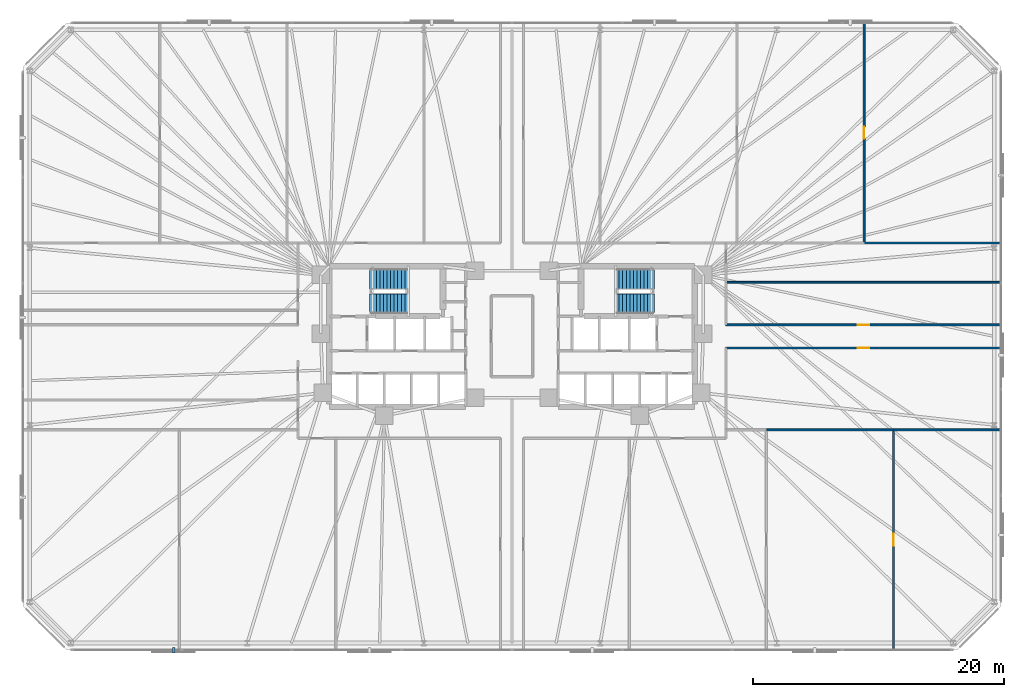
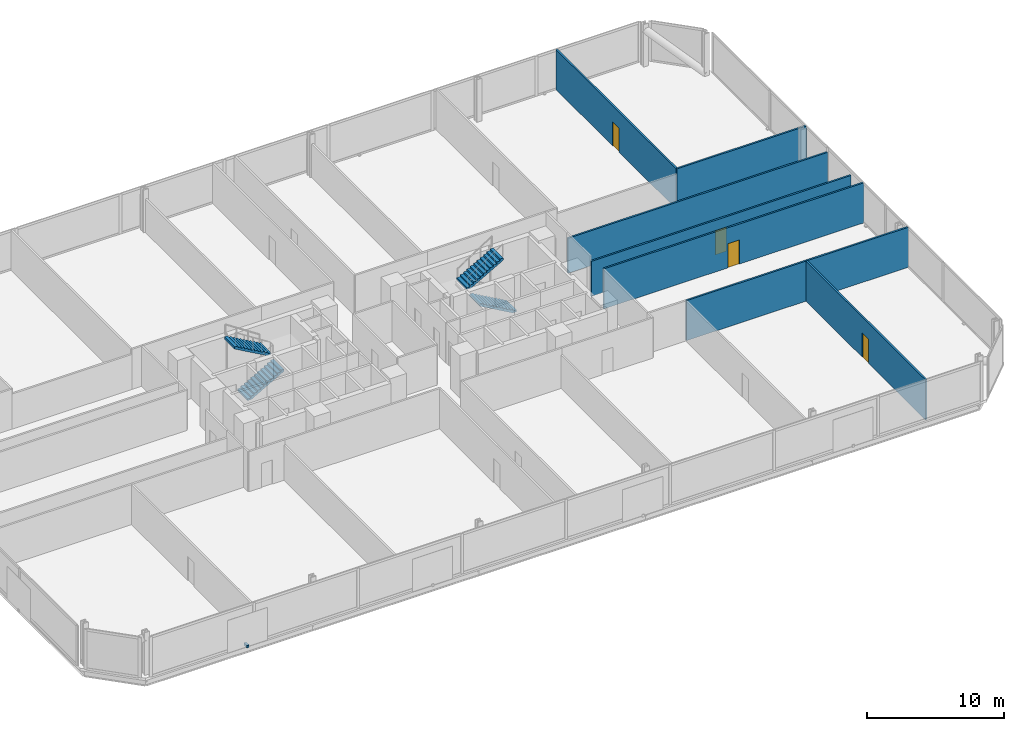
# One storey, part 15 of 17: 8 walls, 4 doors, 4 stair flights, 1 discrete accessory, 4 openings, 2 elements without a shape of their own.
"""IFC4 building model written with IfcOpenShell, lengths in metres."""

from ifc_helpers import new_model, si_unit, direction, frame, frame_2d, origin, origin_2d, place, context, subcontext, project, spatial, polyline, rectangle, outline, extrude, material, layer, layer_set, type_object, element, fill, aggregate, save


model = new_model("IFC4")

# Units and contexts
model_context = context("Model", 3, precision=1e-05, world=origin(), true_north=direction((0.0, 1.0)))
body_context = subcontext(model_context, "Body", "Model", "MODEL_VIEW")
ifc_project = project(units=[si_unit("LENGTHUNIT", "METRE"), si_unit("AREAUNIT", "SQUARE_METRE"), si_unit("VOLUMEUNIT", "CUBIC_METRE"), si_unit("PLANEANGLEUNIT", "RADIAN"), si_unit("MASSUNIT", "GRAM", prefix="KILO")], contexts=[model_context])

# Site, building, storey
site_placement = place(None, origin())
site = spatial("IfcSite", under=ifc_project, at=site_placement, CompositionType="ELEMENT")
building_placement = place(site_placement, origin())
building = spatial("IfcBuilding", under=site, at=building_placement, Name="Menara Jurai Vektor", CompositionType="ELEMENT")
storey_placement = place(building_placement, frame((0.0, 0.0, 52.199951171875)))
storey = spatial("IfcBuildingStorey", under=building, at=storey_placement, Name="L12", CompositionType="ELEMENT", Elevation=52.199951171875)

# Wall, opening, door
ifc_material_1 = material(Name="Gypsum Fireboard Partition", Category="gypsum")
ifc_layer_1 = layer(ifc_material_1, 0.14990234375)
ifc_layer_set_1 = layer_set([ifc_layer_1], Name="Gypsum Fireboard Partition")
wall_type_1 = type_object("IfcWallType", Name="INT-WALL-CORR-150", PredefinedType="PARTITIONING", material=ifc_layer_set_1)
wall_1_placement = place(storey_placement, frame((17.05908203125, -0.919921875, 0.0), z_axis=(0.0, 0.0, 1.0), x_axis=(1.0, 0.0, 0.0)))
wall_1 = element("IfcWall", 1, at=wall_1_placement, inside=storey, type_object=wall_type_1, Name="Interior Wall IW-150 L12", PredefinedType="PARTITIONING", context=body_context, shape_type="SweptSolid", body=[
    extrude(rectangle(XDim=21.94091796875, YDim=0.14990234375, at=frame_2d((10.970458984375, 0.0))), origin(), (0.0, 0.0, 1.0), 3.574951171875),
])
opening_1_placement = place(wall_1_placement, frame((10.49560546875, 0.0, 0.0)))
opening_1 = element("IfcOpeningElement", 2, at=opening_1_placement, cuts=wall_1, Name="Opening D12-19", PredefinedType="OPENING", context=body_context, shape_type="SweptSolid", body=[
    extrude(rectangle(XDim=0.949951171875, YDim=2.14990234375, at=frame_2d((0.47509765625, 1.074951171875))), frame((0.0, 0.0849609375, 0.0), z_axis=(0.0, -1.0, 0.0), x_axis=(1.0, 0.0, 0.0)), (0.0, 0.0, 1.0), 0.169921875),
])
ifc_material_2 = material(Name="Solid Core Timber Fire Door", Category="wood")
door_type = type_object("IfcDoorType", Name="DR-ENTRY-950", OperationType="NOTDEFINED", PredefinedType="DOOR", material=ifc_material_2)
door_1_placement = place(opening_1_placement, origin())
door_1 = element("IfcDoor", 3, at=door_1_placement, inside=storey, type_object=door_type, Name="Interior Door D12-19", OperationType="SINGLE_SWING_RIGHT", OverallHeight=2.14990234375, OverallWidth=0.949951171875, PredefinedType="DOOR", context=body_context, shape_type="SweptSolid", body=[
    extrude(rectangle(XDim=0.949951171875, YDim=2.14990234375, at=frame_2d((0.47509765625, 1.074951171875))), frame((0.0, 0.02490234375, 0.0), z_axis=(0.0, -1.0, 0.0), x_axis=(1.0, 0.0, 0.0)), (0.0, 0.0, 1.0), 0.050048828125),
])
fill(opening_1, door_1)

wall_2_placement = place(storey_placement, frame((28.080078125, 7.449951171875, 0.0), z_axis=(0.0, 0.0, 1.0), x_axis=(0.0, 1.0, 0.0)))
wall_2 = element("IfcWall", 4, at=wall_2_placement, inside=storey, type_object=wall_type_1, Name="Interior Wall IW-150 L12", PredefinedType="PARTITIONING", context=body_context, shape_type="SweptSolid", body=[
    extrude(rectangle(XDim=17.550048828125, YDim=0.14990234375, at=frame_2d((8.77490234375, 0.0))), origin(), (0.0, 0.0, 1.0), 3.574951171875),
])
opening_2_placement = place(wall_2_placement, frame((8.300048828125, 0.0, 0.0)))
opening_2 = element("IfcOpeningElement", 5, at=opening_2_placement, cuts=wall_2, Name="Opening D12-25", PredefinedType="OPENING", context=body_context, shape_type="SweptSolid", body=[
    extrude(rectangle(XDim=0.949951171875, YDim=2.14990234375, at=frame_2d((0.47509765625, 1.074951171875))), frame((0.0, 0.0849609375, 0.0), z_axis=(0.0, -1.0, 0.0), x_axis=(1.0, 0.0, 0.0)), (0.0, 0.0, 1.0), 0.169921875),
])
door_2_placement = place(opening_2_placement, origin())
door_2 = element("IfcDoor", 6, at=door_2_placement, inside=storey, type_object=door_type, Name="Interior Door D12-25", OperationType="SINGLE_SWING_RIGHT", OverallHeight=2.14990234375, OverallWidth=0.949951171875, PredefinedType="DOOR", context=body_context, shape_type="SweptSolid", body=[
    extrude(rectangle(XDim=0.949951171875, YDim=2.14990234375, at=frame_2d((0.47509765625, 1.074951171875))), frame((0.0, 0.02490234375, 0.0), z_axis=(0.0, -1.0, 0.0), x_axis=(1.0, 0.0, 0.0)), (0.0, 0.0, 1.0), 0.050048828125),
])
fill(opening_2, door_2)

# Wall
wall_3_placement = place(storey_placement, frame((28.080078125, 7.449951171875, 0.0), z_axis=(0.0, 0.0, 1.0), x_axis=(1.0, 0.0, 0.0)))
element("IfcWall", 7, at=wall_3_placement, inside=storey, type_object=wall_type_1, Name="Interior Wall IW-150 L12", PredefinedType="PARTITIONING", context=body_context, shape_type="SweptSolid", body=[
    extrude(rectangle(XDim=10.919921875, YDim=0.14990234375, at=frame_2d((5.4599609375, 0.0))), origin(), (0.0, 0.0, 1.0), 3.574951171875),
])

# Wall, opening, door
wall_4_placement = place(storey_placement, frame((30.419921875, -25.0, 0.0), z_axis=(0.0, 0.0, 1.0), x_axis=(0.0, 1.0, 0.0)))
wall_4 = element("IfcWall", 8, at=wall_4_placement, inside=storey, type_object=wall_type_1, Name="Interior Wall IW-150 L12", PredefinedType="PARTITIONING", context=body_context, shape_type="SweptSolid", body=[
    extrude(rectangle(XDim=17.550048828125, YDim=0.14990234375, at=frame_2d((8.77490234375, 0.0))), origin(), (0.0, 0.0, 1.0), 3.574951171875),
])
opening_3_placement = place(wall_4_placement, frame((8.300048828125, 0.0, 0.0)))
opening_3 = element("IfcOpeningElement", 9, at=opening_3_placement, cuts=wall_4, Name="Opening D12-28", PredefinedType="OPENING", context=body_context, shape_type="SweptSolid", body=[
    extrude(rectangle(XDim=0.949951171875, YDim=2.14990234375, at=frame_2d((0.47509765625, 1.074951171875))), frame((0.0, 0.0849609375, 0.0), z_axis=(0.0, -1.0, 0.0), x_axis=(1.0, 0.0, 0.0)), (0.0, 0.0, 1.0), 0.169921875),
])
door_3_placement = place(opening_3_placement, origin())
door_3 = element("IfcDoor", 10, at=door_3_placement, inside=storey, type_object=door_type, Name="Interior Door D12-28", OperationType="SINGLE_SWING_LEFT", OverallHeight=2.14990234375, OverallWidth=0.949951171875, PredefinedType="DOOR", context=body_context, shape_type="SweptSolid", body=[
    extrude(rectangle(XDim=0.949951171875, YDim=2.14990234375, at=frame_2d((0.47509765625, 1.074951171875))), frame((0.0, 0.02490234375, 0.0), z_axis=(0.0, -1.0, 0.0), x_axis=(1.0, 0.0, 0.0)), (0.0, 0.0, 1.0), 0.050048828125),
])
fill(opening_3, door_3)

# Walls
wall_5_placement = place(storey_placement, frame((20.280029296875, -7.449951171875, 0.0), z_axis=(0.0, 0.0, 1.0), x_axis=(1.0, 0.0, 0.0)))
element("IfcWall", 11, at=wall_5_placement, inside=storey, type_object=wall_type_1, Name="Interior Wall IW-150 L12", PredefinedType="PARTITIONING", context=body_context, shape_type="SweptSolid", body=[
    extrude(rectangle(XDim=10.139892578125, YDim=0.14990234375, at=frame_2d((5.06982421875, 0.0))), origin(), (0.0, 0.0, 1.0), 3.574951171875),
])
wall_6_placement = place(storey_placement, frame((30.419921875, -7.449951171875, 0.0), z_axis=(0.0, 0.0, 1.0), x_axis=(1.0, 0.0, 0.0)))
element("IfcWall", 12, at=wall_6_placement, inside=storey, type_object=wall_type_1, Name="Interior Wall IW-150 L12", PredefinedType="PARTITIONING", context=body_context, shape_type="SweptSolid", body=[
    extrude(rectangle(XDim=8.580078125, YDim=0.14990234375, at=frame_2d((4.2900390625, 0.0))), origin(), (0.0, 0.0, 1.0), 3.574951171875),
])

# Wall, opening, door
ifc_layer_2 = layer(ifc_material_1, 0.14990234375)
ifc_layer_set_2 = layer_set([ifc_layer_2], Name="Gypsum Fireboard Partition")
wall_type_2 = type_object("IfcWallType", Name="INT-WALL-CORR-150-H1", PredefinedType="PARTITIONING", material=ifc_layer_set_2)
wall_7_placement = place(storey_placement, frame((17.05908203125, 0.919921875, 0.0), z_axis=(0.0, 0.0, 1.0), x_axis=(1.0, 0.0, 0.0)))
wall_7 = element("IfcWall", 13, at=wall_7_placement, inside=storey, type_object=wall_type_2, Name="Interior Wall IW-150 L12", PredefinedType="PARTITIONING", context=body_context, shape_type="SweptSolid", body=[
    extrude(rectangle(XDim=21.94091796875, YDim=0.14990234375, at=frame_2d((10.970458984375, 0.0))), origin(), (0.0, 0.0, 1.0), 3.125),
])
opening_4_placement = place(wall_7_placement, frame((10.49560546875, 0.0, 0.0)))
opening_4 = element("IfcOpeningElement", 14, at=opening_4_placement, cuts=wall_7, Name="Opening D12-20", PredefinedType="OPENING", context=body_context, shape_type="SweptSolid", body=[
    extrude(rectangle(XDim=0.949951171875, YDim=2.14990234375, at=frame_2d((0.47509765625, 1.074951171875))), frame((0.0, 0.0849609375, 0.0), z_axis=(0.0, -1.0, 0.0), x_axis=(1.0, 0.0, 0.0)), (0.0, 0.0, 1.0), 0.169921875),
])
door_4_placement = place(opening_4_placement, origin())
door_4 = element("IfcDoor", 15, at=door_4_placement, inside=storey, type_object=door_type, Name="Interior Door D12-20", OperationType="SINGLE_SWING_LEFT", OverallHeight=2.14990234375, OverallWidth=0.949951171875, PredefinedType="DOOR", context=body_context, shape_type="SweptSolid", body=[
    extrude(rectangle(XDim=0.949951171875, YDim=2.14990234375, at=frame_2d((0.47509765625, 1.074951171875))), frame((0.0, 0.02490234375, 0.0), z_axis=(0.0, -1.0, 0.0), x_axis=(1.0, 0.0, 0.0)), (0.0, 0.0, 1.0), 0.050048828125),
])
fill(opening_4, door_4)

# Wall
wall_8_placement = place(storey_placement, frame((17.05908203125, 4.321044921875, 0.0), z_axis=(0.0, 0.0, 1.0), x_axis=(1.0, 0.0, 0.0)))
element("IfcWall", 16, at=wall_8_placement, inside=storey, type_object=wall_type_2, Name="Interior Wall IW-150 L12", PredefinedType="PARTITIONING", context=body_context, shape_type="SweptSolid", body=[
    extrude(rectangle(XDim=21.94091796875, YDim=0.14990234375, at=frame_2d((10.970458984375, 0.0))), origin(), (0.0, 0.0, 1.0), 3.125),
])

# Stair, stair flights
ifc_material_3 = material(Name="Concrete C40/50", Category="concrete")
stair_type = type_object("IfcStairType", Name="STAIR-DOGLEG-1500", PredefinedType="HALF_TURN_STAIR", material=ifc_material_3)
stair_1_placement = place(storey_placement, origin())
stair_1 = element("IfcStair", 17, at=stair_1_placement, inside=storey, type_object=stair_type, Name="Protected Exit Stair ST1 L12", PredefinedType="HALF_TURN_STAIR")
stair_flight_type = type_object("IfcStairFlightType", Name="STAIR-FLIGHT-1500", PredefinedType="STRAIGHT", material=ifc_material_3)
stair_flight_1_placement = place(storey_placement, frame((-11.35009765625, 2.64990234375, 0.0), z_axis=(0.0, 0.0, 1.0), x_axis=(1.0, 0.0, 0.0)))
stair_flight_1 = element("IfcStairFlight", 18, at=stair_flight_1_placement, type_object=stair_flight_type, Name="ST1 flight 1", NumberOfRisers=12, NumberOfTreads=11, PredefinedType="STRAIGHT", RiserHeight=0.158333, TreadLength=0.28, context=body_context, shape_type="SweptSolid", body=[
    extrude(outline(polyline([(0.0, 0.0), (0.0, 0.158447265625), (0.280029296875, 0.158447265625), (0.280029296875, 0.316650390625), (0.56005859375, 0.316650390625), (0.56005859375, 0.47509765625), (0.840087890625, 0.47509765625), (0.840087890625, 0.63330078125), (1.1201171875, 0.63330078125), (1.1201171875, 0.791748046875), (1.39990234375, 0.791748046875), (1.39990234375, 0.949951171875), (1.679931640625, 0.949951171875), (1.679931640625, 1.1083984375), (1.9599609375, 1.1083984375), (1.9599609375, 1.2666015625), (2.239990234375, 1.2666015625), (2.239990234375, 1.425048828125), (2.52001953125, 1.425048828125), (2.52001953125, 1.583251953125), (2.800048828125, 1.583251953125), (2.800048828125, 1.74169921875), (3.080078125, 1.74169921875), (3.080078125, 1.89990234375), (3.080078125, 1.557861328125), (0.324951171875, 0.0), (0.0, 0.0)])), frame((0.0, 0.75, 0.0), z_axis=(0.0, -1.0, 0.0), x_axis=(1.0, 0.0, 0.0)), (0.0, 0.0, 1.0), 1.5),
])
stair_flight_2_placement = place(storey_placement, frame((-8.27001953125, 4.550048828125, 1.900146484375), z_axis=(0.0, 0.0, 1.0), x_axis=(-1.0, 0.0, 0.0)))
stair_flight_2 = element("IfcStairFlight", 19, at=stair_flight_2_placement, type_object=stair_flight_type, Name="ST1 flight 2", NumberOfRisers=12, NumberOfTreads=11, PredefinedType="STRAIGHT", RiserHeight=0.158333, TreadLength=0.28, context=body_context, shape_type="SweptSolid", body=[
    extrude(outline(polyline([(0.0, 0.0), (0.0, 0.158447265625), (0.280029296875, 0.158447265625), (0.280029296875, 0.316650390625), (0.56005859375, 0.316650390625), (0.56005859375, 0.47509765625), (0.840087890625, 0.47509765625), (0.840087890625, 0.63330078125), (1.1201171875, 0.63330078125), (1.1201171875, 0.791748046875), (1.39990234375, 0.791748046875), (1.39990234375, 0.949951171875), (1.679931640625, 0.949951171875), (1.679931640625, 1.1083984375), (1.9599609375, 1.1083984375), (1.9599609375, 1.2666015625), (2.239990234375, 1.2666015625), (2.239990234375, 1.425048828125), (2.52001953125, 1.425048828125), (2.52001953125, 1.583251953125), (2.800048828125, 1.583251953125), (2.800048828125, 1.74169921875), (3.080078125, 1.74169921875), (3.080078125, 1.89990234375), (3.080078125, 1.557861328125), (0.324951171875, 0.0), (0.0, 0.0)])), frame((0.0, 0.75, 0.0), z_axis=(0.0, -1.0, 0.0), x_axis=(1.0, 0.0, 0.0)), (0.0, 0.0, 1.0), 1.5),
])
aggregate(stair_1, [stair_flight_1, stair_flight_2])

stair_2_placement = place(storey_placement, origin())
stair_2 = element("IfcStair", 20, at=stair_2_placement, inside=storey, type_object=stair_type, Name="Protected Exit Stair ST2 L12", PredefinedType="HALF_TURN_STAIR")
stair_flight_3_placement = place(storey_placement, frame((11.35009765625, 2.64990234375, 0.0), z_axis=(0.0, 0.0, 1.0), x_axis=(-1.0, 0.0, 0.0)))
stair_flight_3 = element("IfcStairFlight", 21, at=stair_flight_3_placement, type_object=stair_flight_type, Name="ST2 flight 1", NumberOfRisers=12, NumberOfTreads=11, PredefinedType="STRAIGHT", RiserHeight=0.158333, TreadLength=0.28, context=body_context, shape_type="SweptSolid", body=[
    extrude(outline(polyline([(0.0, 0.0), (0.0, 0.158447265625), (0.280029296875, 0.158447265625), (0.280029296875, 0.316650390625), (0.56005859375, 0.316650390625), (0.56005859375, 0.47509765625), (0.840087890625, 0.47509765625), (0.840087890625, 0.63330078125), (1.1201171875, 0.63330078125), (1.1201171875, 0.791748046875), (1.39990234375, 0.791748046875), (1.39990234375, 0.949951171875), (1.679931640625, 0.949951171875), (1.679931640625, 1.1083984375), (1.9599609375, 1.1083984375), (1.9599609375, 1.2666015625), (2.239990234375, 1.2666015625), (2.239990234375, 1.425048828125), (2.52001953125, 1.425048828125), (2.52001953125, 1.583251953125), (2.800048828125, 1.583251953125), (2.800048828125, 1.74169921875), (3.080078125, 1.74169921875), (3.080078125, 1.89990234375), (3.080078125, 1.557861328125), (0.324951171875, 0.0), (0.0, 0.0)])), frame((0.0, 0.75, 0.0), z_axis=(0.0, -1.0, 0.0), x_axis=(1.0, 0.0, 0.0)), (0.0, 0.0, 1.0), 1.5),
])
stair_flight_4_placement = place(storey_placement, frame((8.27001953125, 4.550048828125, 1.900146484375), z_axis=(0.0, 0.0, 1.0), x_axis=(1.0, 0.0, 0.0)))
stair_flight_4 = element("IfcStairFlight", 22, at=stair_flight_4_placement, type_object=stair_flight_type, Name="ST2 flight 2", NumberOfRisers=12, NumberOfTreads=11, PredefinedType="STRAIGHT", RiserHeight=0.158333, TreadLength=0.28, context=body_context, shape_type="SweptSolid", body=[
    extrude(outline(polyline([(0.0, 0.0), (0.0, 0.158447265625), (0.280029296875, 0.158447265625), (0.280029296875, 0.316650390625), (0.56005859375, 0.316650390625), (0.56005859375, 0.47509765625), (0.840087890625, 0.47509765625), (0.840087890625, 0.63330078125), (1.1201171875, 0.63330078125), (1.1201171875, 0.791748046875), (1.39990234375, 0.791748046875), (1.39990234375, 0.949951171875), (1.679931640625, 0.949951171875), (1.679931640625, 1.1083984375), (1.9599609375, 1.1083984375), (1.9599609375, 1.2666015625), (2.239990234375, 1.2666015625), (2.239990234375, 1.425048828125), (2.52001953125, 1.425048828125), (2.52001953125, 1.583251953125), (2.800048828125, 1.583251953125), (2.800048828125, 1.74169921875), (3.080078125, 1.74169921875), (3.080078125, 1.89990234375), (3.080078125, 1.557861328125), (0.324951171875, 0.0), (0.0, 0.0)])), frame((0.0, 0.75, 0.0), z_axis=(0.0, -1.0, 0.0), x_axis=(1.0, 0.0, 0.0)), (0.0, 0.0, 1.0), 1.5),
])
aggregate(stair_2, [stair_flight_3, stair_flight_4])

# Discrete accessory
ifc_material_4 = material(Name="Steel S355", Category="steel")
discrete_accessory_type = type_object("IfcDiscreteAccessoryType", Name="ENV-ACC-BRACKET", PredefinedType="BRACKET", material=ifc_material_4)
discrete_accessory_placement = place(storey_placement, frame((-26.97998046875, -25.010009765625, -0.1298828125), z_axis=(0.0, 0.0, 1.0), x_axis=(1.0, 0.0, 0.0)))
element("IfcDiscreteAccessory", 23, at=discrete_accessory_placement, inside=storey, type_object=discrete_accessory_type, Name="Solar Screen Stand-Off Bracket L12-S01", PredefinedType="BRACKET", context=body_context, shape_type="SweptSolid", body=[
    extrude(rectangle(XDim=0.179931640625, YDim=0.43994140625, at=origin_2d()), origin(), (0.0, 0.0, 1.0), 0.219970703125),
])

save(model, "model.ifc")
